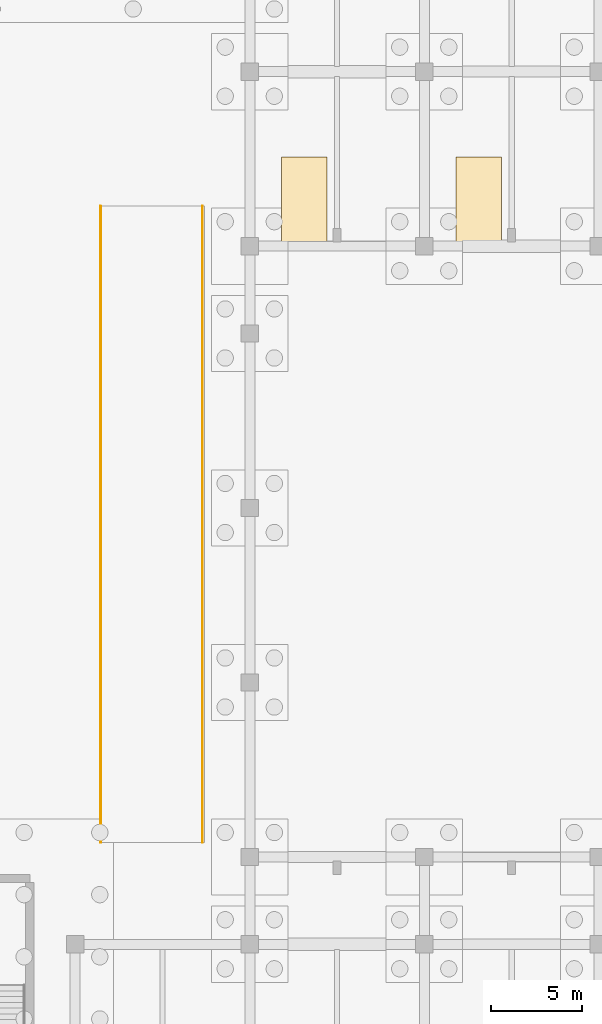
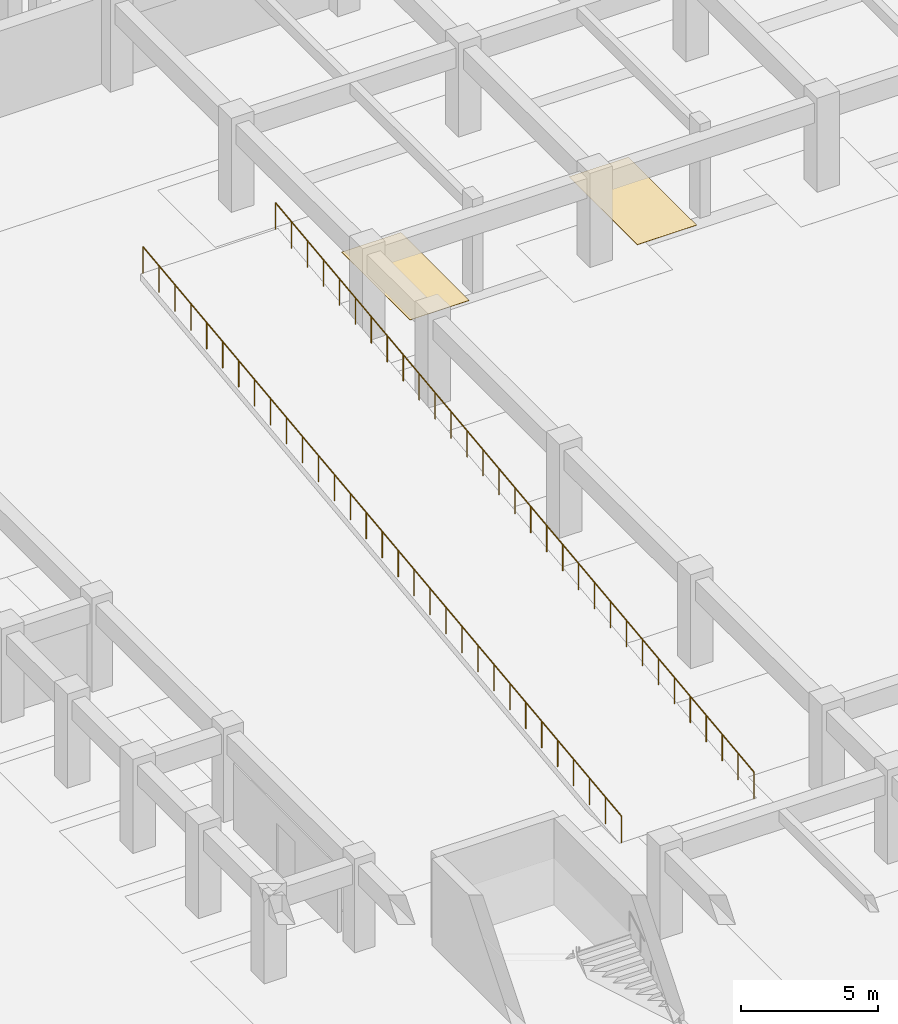
# One storey, part 34 of 39: 2 coverings, 2 railings.
"""IFC4 building model written with IfcOpenShell, lengths in metres."""

from ifc_helpers import new_model, si_unit, direction, frame, origin, origin_2d, place, context, subcontext, project, spatial, polyline, circle, outline, extrude, material, layer, layer_set, type_object, element, save


model = new_model("IFC4")

# Units and contexts
model_context = context("Model", 3, precision=1e-05, world=origin(), true_north=direction((0.0, 1.0)))
body_context = subcontext(model_context, "Body", "Model", "MODEL_VIEW")
ifc_project = project(units=[si_unit("LENGTHUNIT", "METRE"), si_unit("AREAUNIT", "SQUARE_METRE"), si_unit("VOLUMEUNIT", "CUBIC_METRE"), si_unit("PLANEANGLEUNIT", "RADIAN"), si_unit("MASSUNIT", "GRAM", prefix="KILO")], contexts=[model_context])

# Site, building, storey
site_placement = place(None, origin())
site = spatial("IfcSite", under=ifc_project, at=site_placement, CompositionType="ELEMENT")
building_placement = place(site_placement, origin())
building = spatial("IfcBuilding", under=site, at=building_placement, Name="Nakhvara Creek Congress Hotel", CompositionType="ELEMENT")
storey_placement = place(building_placement, frame((0.0, 0.0, -8.39990234375)))
storey = spatial("IfcBuildingStorey", under=building, at=storey_placement, Name="B2", CompositionType="ELEMENT", Elevation=-8.39990234375)

# Coverings
ifc_material_1 = material(Name="Thermoplastic reflective parking bay marking")
ifc_layer = layer(ifc_material_1, 0.014892578125)
ifc_layer_set = layer_set([ifc_layer], Name="Thermoplastic reflective parking bay marking")
covering_type = type_object("IfcCoveringType", Name="COV-PARK-MRK", PredefinedType="USERDEFINED", material=ifc_layer_set)
covering_1_placement = place(storey_placement, frame((0.0, 0.0, 0.0078125)))
element("IfcCovering", 1, at=covering_1_placement, inside=storey, type_object=covering_type, Name="Parking Bay Demarcation B2-002", ObjectType="ROAD_MARKING", PredefinedType="USERDEFINED", context=body_context, shape_type="SweptSolid", body=[
    extrude(outline(polyline([(78.550048828125, 76.699951171875), (81.050048828125, 76.699951171875), (81.050048828125, 81.699951171875), (78.550048828125, 81.699951171875), (78.550048828125, 76.699951171875)])), origin(), (0.0, 0.0, 1.0), 0.01220703125),
])
covering_2_placement = place(storey_placement, frame((0.0, 0.0, 0.0078125)))
element("IfcCovering", 2, at=covering_2_placement, inside=storey, type_object=covering_type, Name="Parking Bay Demarcation B2-005", ObjectType="ROAD_MARKING", PredefinedType="USERDEFINED", context=body_context, shape_type="SweptSolid", body=[
    extrude(outline(polyline([(88.14990234375, 76.699951171875), (90.64990234375, 76.699951171875), (90.64990234375, 81.699951171875), (88.14990234375, 81.699951171875), (88.14990234375, 76.699951171875)])), origin(), (0.0, 0.0, 1.0), 0.01220703125),
])

# Railings
ifc_material_2 = material(Name="Brushed stainless steel 316L", Category="steel")
railing_type = type_object("IfcRailingType", Name="RL-GUARD-1200", PredefinedType="GUARDRAIL", material=ifc_material_2)
railing_1_placement = place(storey_placement, frame((68.60009765625, 44.0, 0.0)))
element("IfcRailing", 3, at=railing_1_placement, inside=storey, type_object=railing_type, Name="Ramp Kerb Guard VR1-W", PredefinedType="GUARDRAIL", context=body_context, shape_type="SweptSolid", body=[
    extrude(circle(Radius=0.02392578125, at=origin_2d()), frame((0.0, 0.0146484375, 1.177734375), z_axis=(0.0, 0.992877002345, 0.119143855129), x_axis=(-1.0, 0.0, 0.0)), (0.0, 0.0, 1.0), 35.2216796875),
    extrude(circle(Radius=0.02099609375, at=origin_2d()), origin(), (0.0, 0.0, 1.0), 1.1806640625),
    extrude(circle(Radius=0.02099609375, at=origin_2d()), frame((0.0, 1.166748046875, 0.139892578125)), (0.0, 0.0, 1.0), 1.1806640625),
    extrude(circle(Radius=0.02099609375, at=origin_2d()), frame((0.0, 2.333251953125, 0.280029296875)), (0.0, 0.0, 1.0), 1.1806640625),
    extrude(circle(Radius=0.02099609375, at=origin_2d()), frame((0.0, 3.5, 0.419921875)), (0.0, 0.0, 1.0), 1.1806640625),
    extrude(circle(Radius=0.02099609375, at=origin_2d()), frame((0.0, 4.666748046875, 0.56005859375)), (0.0, 0.0, 1.0), 1.1806640625),
    extrude(circle(Radius=0.02099609375, at=origin_2d()), frame((0.0, 5.833251953125, 0.699951171875)), (0.0, 0.0, 1.0), 1.1806640625),
    extrude(circle(Radius=0.02099609375, at=origin_2d()), frame((0.0, 7.0, 0.840087890625)), (0.0, 0.0, 1.0), 1.1806640625),
    extrude(circle(Radius=0.02099609375, at=origin_2d()), frame((0.0, 8.166748046875, 0.97998046875)), (0.0, 0.0, 1.0), 1.1806640625),
    extrude(circle(Radius=0.02099609375, at=origin_2d()), frame((0.0, 9.333251953125, 1.119873046875)), (0.0, 0.0, 1.0), 1.1806640625),
    extrude(circle(Radius=0.02099609375, at=origin_2d()), frame((0.0, 10.5, 1.260009765625)), (0.0, 0.0, 1.0), 1.1806640625),
    extrude(circle(Radius=0.02099609375, at=origin_2d()), frame((0.0, 11.666748046875, 1.39990234375)), (0.0, 0.0, 1.0), 1.1806640625),
    extrude(circle(Radius=0.02099609375, at=origin_2d()), frame((0.0, 12.833251953125, 1.5400390625)), (0.0, 0.0, 1.0), 1.1806640625),
    extrude(circle(Radius=0.02099609375, at=origin_2d()), frame((0.0, 14.0, 1.679931640625)), (0.0, 0.0, 1.0), 1.1806640625),
    extrude(circle(Radius=0.02099609375, at=origin_2d()), frame((0.0, 15.166748046875, 1.820068359375)), (0.0, 0.0, 1.0), 1.1806640625),
    extrude(circle(Radius=0.02099609375, at=origin_2d()), frame((0.0, 16.333251953125, 1.9599609375)), (0.0, 0.0, 1.0), 1.1806640625),
    extrude(circle(Radius=0.02099609375, at=origin_2d()), frame((0.0, 17.5, 2.10009765625)), (0.0, 0.0, 1.0), 1.1806640625),
    extrude(circle(Radius=0.02099609375, at=origin_2d()), frame((0.0, 18.666748046875, 2.239990234375)), (0.0, 0.0, 1.0), 1.1806640625),
    extrude(circle(Radius=0.02099609375, at=origin_2d()), frame((0.0, 19.833251953125, 2.3798828125)), (0.0, 0.0, 1.0), 1.1806640625),
    extrude(circle(Radius=0.02099609375, at=origin_2d()), frame((0.0, 21.0, 2.52001953125)), (0.0, 0.0, 1.0), 1.1806640625),
    extrude(circle(Radius=0.02099609375, at=origin_2d()), frame((0.0, 22.166748046875, 2.659912109375)), (0.0, 0.0, 1.0), 1.1806640625),
    extrude(circle(Radius=0.02099609375, at=origin_2d()), frame((0.0, 23.333251953125, 2.800048828125)), (0.0, 0.0, 1.0), 1.1806640625),
    extrude(circle(Radius=0.02099609375, at=origin_2d()), frame((0.0, 24.5, 2.93994140625)), (0.0, 0.0, 1.0), 1.1806640625),
    extrude(circle(Radius=0.02099609375, at=origin_2d()), frame((0.0, 25.666748046875, 3.080078125)), (0.0, 0.0, 1.0), 1.1806640625),
    extrude(circle(Radius=0.02099609375, at=origin_2d()), frame((0.0, 26.833251953125, 3.219970703125)), (0.0, 0.0, 1.0), 1.1806640625),
    extrude(circle(Radius=0.02099609375, at=origin_2d()), frame((0.0, 28.0, 3.35986328125)), (0.0, 0.0, 1.0), 1.1806640625),
    extrude(circle(Radius=0.02099609375, at=origin_2d()), frame((0.0, 29.166748046875, 3.5)), (0.0, 0.0, 1.0), 1.1806640625),
    extrude(circle(Radius=0.02099609375, at=origin_2d()), frame((0.0, 30.333251953125, 3.639892578125)), (0.0, 0.0, 1.0), 1.1806640625),
    extrude(circle(Radius=0.02099609375, at=origin_2d()), frame((0.0, 31.5, 3.780029296875)), (0.0, 0.0, 1.0), 1.1806640625),
    extrude(circle(Radius=0.02099609375, at=origin_2d()), frame((0.0, 32.666748046875, 3.919921875)), (0.0, 0.0, 1.0), 1.1806640625),
    extrude(circle(Radius=0.02099609375, at=origin_2d()), frame((0.0, 33.833251953125, 4.06005859375)), (0.0, 0.0, 1.0), 1.1806640625),
    extrude(circle(Radius=0.02099609375, at=origin_2d()), frame((0.0, 35.0, 4.199951171875)), (0.0, 0.0, 1.0), 1.1806640625),
])
railing_2_placement = place(storey_placement, frame((74.199951171875, 44.0, 0.0)))
element("IfcRailing", 4, at=railing_2_placement, inside=storey, type_object=railing_type, Name="Ramp Kerb Guard VR1-E", PredefinedType="GUARDRAIL", context=body_context, shape_type="SweptSolid", body=[
    extrude(circle(Radius=0.02392578125, at=origin_2d()), frame((0.0, 0.0146484375, 1.177734375), z_axis=(0.0, 0.992877002345, 0.119143855129), x_axis=(-1.0, 0.0, 0.0)), (0.0, 0.0, 1.0), 35.2216796875),
    extrude(circle(Radius=0.02099609375, at=origin_2d()), origin(), (0.0, 0.0, 1.0), 1.1806640625),
    extrude(circle(Radius=0.02099609375, at=origin_2d()), frame((0.0, 1.166748046875, 0.139892578125)), (0.0, 0.0, 1.0), 1.1806640625),
    extrude(circle(Radius=0.02099609375, at=origin_2d()), frame((0.0, 2.333251953125, 0.280029296875)), (0.0, 0.0, 1.0), 1.1806640625),
    extrude(circle(Radius=0.02099609375, at=origin_2d()), frame((0.0, 3.5, 0.419921875)), (0.0, 0.0, 1.0), 1.1806640625),
    extrude(circle(Radius=0.02099609375, at=origin_2d()), frame((0.0, 4.666748046875, 0.56005859375)), (0.0, 0.0, 1.0), 1.1806640625),
    extrude(circle(Radius=0.02099609375, at=origin_2d()), frame((0.0, 5.833251953125, 0.699951171875)), (0.0, 0.0, 1.0), 1.1806640625),
    extrude(circle(Radius=0.02099609375, at=origin_2d()), frame((0.0, 7.0, 0.840087890625)), (0.0, 0.0, 1.0), 1.1806640625),
    extrude(circle(Radius=0.02099609375, at=origin_2d()), frame((0.0, 8.166748046875, 0.97998046875)), (0.0, 0.0, 1.0), 1.1806640625),
    extrude(circle(Radius=0.02099609375, at=origin_2d()), frame((0.0, 9.333251953125, 1.119873046875)), (0.0, 0.0, 1.0), 1.1806640625),
    extrude(circle(Radius=0.02099609375, at=origin_2d()), frame((0.0, 10.5, 1.260009765625)), (0.0, 0.0, 1.0), 1.1806640625),
    extrude(circle(Radius=0.02099609375, at=origin_2d()), frame((0.0, 11.666748046875, 1.39990234375)), (0.0, 0.0, 1.0), 1.1806640625),
    extrude(circle(Radius=0.02099609375, at=origin_2d()), frame((0.0, 12.833251953125, 1.5400390625)), (0.0, 0.0, 1.0), 1.1806640625),
    extrude(circle(Radius=0.02099609375, at=origin_2d()), frame((0.0, 14.0, 1.679931640625)), (0.0, 0.0, 1.0), 1.1806640625),
    extrude(circle(Radius=0.02099609375, at=origin_2d()), frame((0.0, 15.166748046875, 1.820068359375)), (0.0, 0.0, 1.0), 1.1806640625),
    extrude(circle(Radius=0.02099609375, at=origin_2d()), frame((0.0, 16.333251953125, 1.9599609375)), (0.0, 0.0, 1.0), 1.1806640625),
    extrude(circle(Radius=0.02099609375, at=origin_2d()), frame((0.0, 17.5, 2.10009765625)), (0.0, 0.0, 1.0), 1.1806640625),
    extrude(circle(Radius=0.02099609375, at=origin_2d()), frame((0.0, 18.666748046875, 2.239990234375)), (0.0, 0.0, 1.0), 1.1806640625),
    extrude(circle(Radius=0.02099609375, at=origin_2d()), frame((0.0, 19.833251953125, 2.3798828125)), (0.0, 0.0, 1.0), 1.1806640625),
    extrude(circle(Radius=0.02099609375, at=origin_2d()), frame((0.0, 21.0, 2.52001953125)), (0.0, 0.0, 1.0), 1.1806640625),
    extrude(circle(Radius=0.02099609375, at=origin_2d()), frame((0.0, 22.166748046875, 2.659912109375)), (0.0, 0.0, 1.0), 1.1806640625),
    extrude(circle(Radius=0.02099609375, at=origin_2d()), frame((0.0, 23.333251953125, 2.800048828125)), (0.0, 0.0, 1.0), 1.1806640625),
    extrude(circle(Radius=0.02099609375, at=origin_2d()), frame((0.0, 24.5, 2.93994140625)), (0.0, 0.0, 1.0), 1.1806640625),
    extrude(circle(Radius=0.02099609375, at=origin_2d()), frame((0.0, 25.666748046875, 3.080078125)), (0.0, 0.0, 1.0), 1.1806640625),
    extrude(circle(Radius=0.02099609375, at=origin_2d()), frame((0.0, 26.833251953125, 3.219970703125)), (0.0, 0.0, 1.0), 1.1806640625),
    extrude(circle(Radius=0.02099609375, at=origin_2d()), frame((0.0, 28.0, 3.35986328125)), (0.0, 0.0, 1.0), 1.1806640625),
    extrude(circle(Radius=0.02099609375, at=origin_2d()), frame((0.0, 29.166748046875, 3.5)), (0.0, 0.0, 1.0), 1.1806640625),
    extrude(circle(Radius=0.02099609375, at=origin_2d()), frame((0.0, 30.333251953125, 3.639892578125)), (0.0, 0.0, 1.0), 1.1806640625),
    extrude(circle(Radius=0.02099609375, at=origin_2d()), frame((0.0, 31.5, 3.780029296875)), (0.0, 0.0, 1.0), 1.1806640625),
    extrude(circle(Radius=0.02099609375, at=origin_2d()), frame((0.0, 32.666748046875, 3.919921875)), (0.0, 0.0, 1.0), 1.1806640625),
    extrude(circle(Radius=0.02099609375, at=origin_2d()), frame((0.0, 33.833251953125, 4.06005859375)), (0.0, 0.0, 1.0), 1.1806640625),
    extrude(circle(Radius=0.02099609375, at=origin_2d()), frame((0.0, 35.0, 4.199951171875)), (0.0, 0.0, 1.0), 1.1806640625),
])

save(model, "model.ifc")
